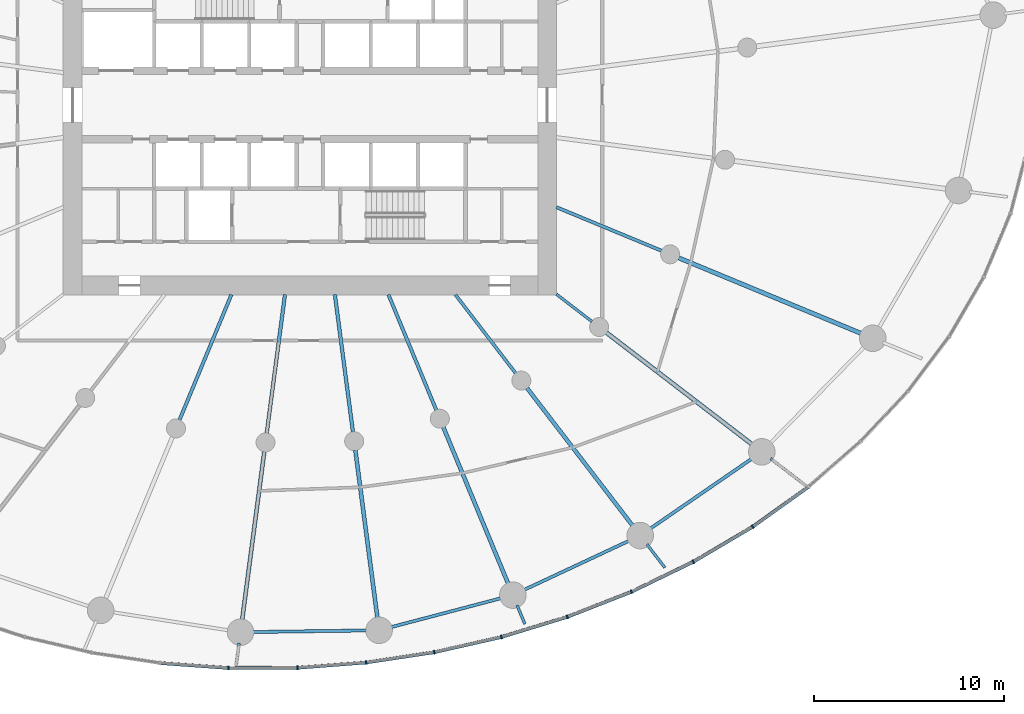
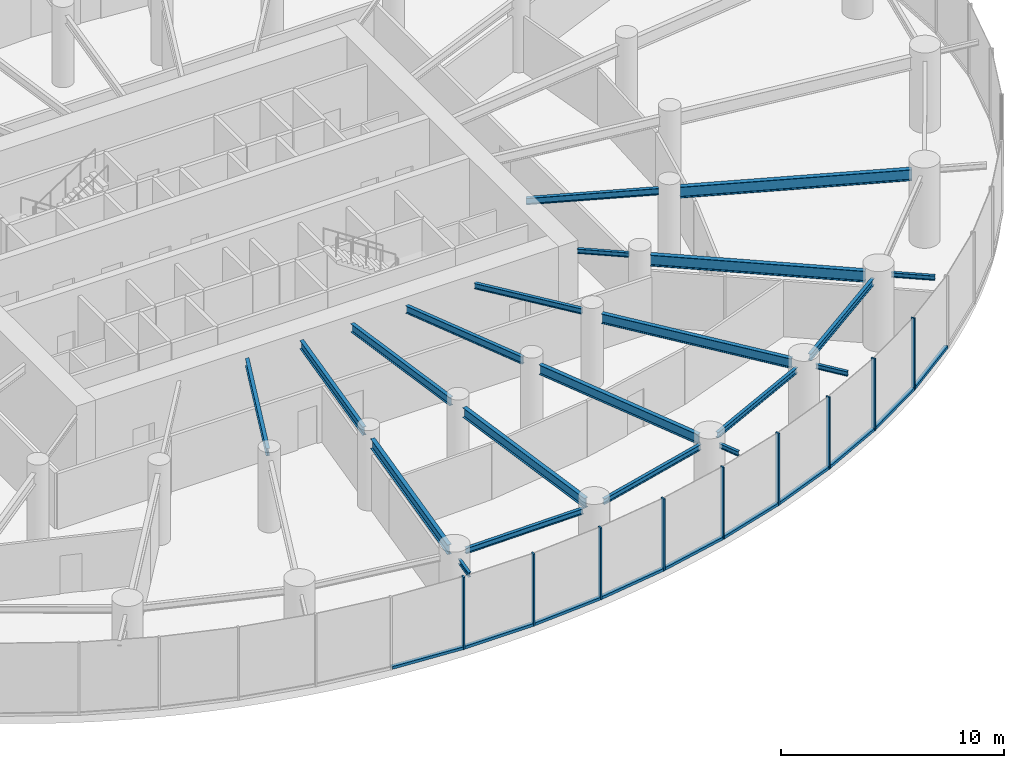
# One storey, part 4 of 18: 21 beams, 19 members, 3 elements without a shape of their own.
"""IFC4 building model written with IfcOpenShell, lengths in metres."""

from ifc_helpers import new_model, si_unit, direction, frame, origin, origin_2d, place, context, subcontext, project, spatial, rectangle, i_section, extrude, source, transform, mapped, material, layer, layer_set, material_profile, profile_set, type_object, element, aggregate, save


model = new_model("IFC4")

# Units and contexts
model_context = context("Model", 3, precision=1e-05, world=origin(), true_north=direction((0.0, 1.0)))
body_context = subcontext(model_context, "Body", "Model", "MODEL_VIEW")
ifc_project = project(units=[si_unit("LENGTHUNIT", "METRE"), si_unit("AREAUNIT", "SQUARE_METRE"), si_unit("VOLUMEUNIT", "CUBIC_METRE"), si_unit("PLANEANGLEUNIT", "RADIAN"), si_unit("MASSUNIT", "GRAM", prefix="KILO")], contexts=[model_context])

# Site, building, storey
site_placement = place(None, origin())
site = spatial("IfcSite", under=ifc_project, at=site_placement, CompositionType="ELEMENT")
building_placement = place(site_placement, origin())
building = spatial("IfcBuilding", under=site, at=building_placement, Name="Spindrift Exchange Tower", CompositionType="ELEMENT")
storey_placement = place(building_placement, frame((0.0, 0.0, 40.199951171875)))
storey = spatial("IfcBuildingStorey", under=building, at=storey_placement, Name="L09", CompositionType="ELEMENT", Elevation=40.199951171875)

# Beams
ifc_material_1 = material(Name="Steel Grade 300", Category="steel")
ifc_material_profile_1 = material_profile(ifc_material_1, i_section(OverallWidth=0.177978515625, OverallDepth=0.406005859375, WebThickness=0.0078125, FlangeThickness=0.0126953125, FilletRadius=0.013916015625, at=origin_2d()), Name="410UB59.7")
ifc_profile_set_1 = profile_set([ifc_material_profile_1], Name="Steel Grade 300")
beam_type_1 = type_object("IfcBeamType", Name="Floor Beam 410UB59.7 Steel Grade 300", PredefinedType="BEAM", material=ifc_profile_set_1)
shared_shape_1 = source(origin(), body_context, "Body", "SweptSolid", [
    extrude(i_section(OverallWidth=0.177978515625, OverallDepth=0.406005859375, WebThickness=0.0078125, FlangeThickness=0.0126953125, FilletRadius=0.013916015625, at=origin_2d()), origin(), (0.0, 0.0, 1.0), 7.150634765625),
])
beam_1_placement = place(storey_placement, frame((47.865478515625, 38.0185546875, 3.7470703125), z_axis=(-0.382665393358, -0.923887004306, 0.0), x_axis=(0.923887004306, -0.382665393358, 0.0)))
element("IfcBeam", 1, at=beam_1_placement, inside=storey, type_object=beam_type_1, Name="L09 radial beam R17A", PredefinedType="BEAM", context=body_context, shape_type="MappedRepresentation", body=[
    mapped(shared_shape_1, transform((0.0, 0.0, 0.0), scale=1.0)),
])
ifc_material_profile_2 = material_profile(ifc_material_1, i_section(OverallWidth=0.18994140625, OverallDepth=0.45703125, WebThickness=0.009033203125, FlangeThickness=0.014404296875, FilletRadius=0.013916015625, at=origin_2d()), Name="460UB74.6")
ifc_profile_set_2 = profile_set([ifc_material_profile_2], Name="Steel Grade 300")
beam_type_2 = type_object("IfcBeamType", Name="Floor Beam 460UB74.6 Steel Grade 300", PredefinedType="BEAM", material=ifc_profile_set_2)
shared_shape_2 = source(origin(), body_context, "Body", "SweptSolid", [
    extrude(i_section(OverallWidth=0.18994140625, OverallDepth=0.45703125, WebThickness=0.009033203125, FlangeThickness=0.014404296875, FilletRadius=0.013916015625, at=origin_2d()), origin(), (0.0, 0.0, 1.0), 7.374267578125),
])
beam_2_placement = place(storey_placement, frame((50.68603515625, 38.019775390625, 3.721435546875), z_axis=(-0.130539295622, -0.99144313619, 0.0), x_axis=(0.99144313619, -0.130539295622, 0.0)))
element("IfcBeam", 2, at=beam_2_placement, inside=storey, type_object=beam_type_2, Name="L09 radial beam R18A", PredefinedType="BEAM", context=body_context, shape_type="MappedRepresentation", body=[
    mapped(shared_shape_2, transform((0.0, 0.0, 0.0), scale=1.0)),
])
ifc_material_profile_3 = material_profile(ifc_material_1, i_section(OverallWidth=0.208984375, OverallDepth=0.532958984375, WebThickness=0.01025390625, FlangeThickness=0.015625, FilletRadius=0.013916015625, at=origin_2d()), Name="530UB92.4")
ifc_profile_set_3 = profile_set([ifc_material_profile_3], Name="Steel Grade 300")
beam_type_3 = type_object("IfcBeamType", Name="Floor Beam 530UB92.4 Steel Grade 300", PredefinedType="BEAM", material=ifc_profile_set_3)
shared_shape_3 = source(origin(), body_context, "Body", "SweptSolid", [
    extrude(i_section(OverallWidth=0.208984375, OverallDepth=0.532958984375, WebThickness=0.01025390625, FlangeThickness=0.015625, FilletRadius=0.013916015625, at=origin_2d()), origin(), (0.0, 0.0, 1.0), 9.020263671875),
])
beam_3_placement = place(storey_placement, frame((49.59814453125, 29.7568359375, 3.68359375), z_axis=(-0.13051122338, -0.991446831944, 0.0), x_axis=(0.991446831944, -0.13051122338, 0.0)))
element("IfcBeam", 3, at=beam_3_placement, inside=storey, type_object=beam_type_3, Name="L09 radial beam R18B", PredefinedType="BEAM", context=body_context, shape_type="MappedRepresentation", body=[
    mapped(shared_shape_3, transform((0.0, 0.0, 0.0), scale=1.0)),
])
shared_shape_4 = source(origin(), body_context, "Body", "SweptSolid", [
    extrude(i_section(OverallWidth=0.18994140625, OverallDepth=0.45703125, WebThickness=0.009033203125, FlangeThickness=0.014404296875, FilletRadius=0.013916015625, at=origin_2d()), origin(), (0.0, 0.0, 1.0), 7.3095703125),
])
beam_4_placement = place(storey_placement, frame((53.31396484375, 38.019775390625, 3.721435546875), z_axis=(0.130527087244, -0.991444743541, 0.0), x_axis=(0.991444743541, 0.130527087244, 0.0)))
element("IfcBeam", 4, at=beam_4_placement, inside=storey, type_object=beam_type_2, Name="L09 radial beam R19A", PredefinedType="BEAM", context=body_context, shape_type="MappedRepresentation", body=[
    mapped(shared_shape_4, transform((0.0, 0.0, 0.0), scale=1.0)),
])
shared_shape_5 = source(origin(), body_context, "Body", "SweptSolid", [
    extrude(i_section(OverallWidth=0.208984375, OverallDepth=0.532958984375, WebThickness=0.01025390625, FlangeThickness=0.015625, FilletRadius=0.013916015625, at=origin_2d()), origin(), (0.0, 0.0, 1.0), 8.98388671875),
])
beam_5_placement = place(storey_placement, frame((54.393310546875, 29.82080078125, 3.68359375), z_axis=(0.130524106785, -0.991445135924, 0.0), x_axis=(0.991445135924, 0.130524106785, 0.0)))
element("IfcBeam", 5, at=beam_5_placement, inside=storey, type_object=beam_type_3, Name="L09 radial beam R19B", PredefinedType="BEAM", context=body_context, shape_type="MappedRepresentation", body=[
    mapped(shared_shape_5, transform((0.0, 0.0, 0.0), scale=1.0)),
])
shared_shape_6 = source(origin(), body_context, "Body", "SweptSolid", [
    extrude(i_section(OverallWidth=0.177978515625, OverallDepth=0.406005859375, WebThickness=0.0078125, FlangeThickness=0.0126953125, FilletRadius=0.013916015625, at=origin_2d()), origin(), (0.0, 0.0, 1.0), 6.594482421875),
])
beam_6_placement = place(storey_placement, frame((56.134521484375, 38.0185546875, 3.7470703125), z_axis=(0.382692929746, -0.92387559851, 0.0), x_axis=(0.92387559851, 0.382692929746, 0.0)))
element("IfcBeam", 6, at=beam_6_placement, inside=storey, type_object=beam_type_1, Name="L09 radial beam R20A", PredefinedType="BEAM", context=body_context, shape_type="MappedRepresentation", body=[
    mapped(shared_shape_6, transform((0.0, 0.0, 0.0), scale=1.0)),
])
shared_shape_7 = source(origin(), body_context, "Body", "SweptSolid", [
    extrude(i_section(OverallWidth=0.208984375, OverallDepth=0.532958984375, WebThickness=0.01025390625, FlangeThickness=0.015625, FilletRadius=0.013916015625, at=origin_2d()), origin(), (0.0, 0.0, 1.0), 8.99658203125),
])
beam_7_placement = place(storey_placement, frame((59.025390625, 31.0390625, 3.68359375), z_axis=(0.382685731718, -0.923878580085, 0.0), x_axis=(0.923878580085, 0.382685731718, 0.0)))
element("IfcBeam", 7, at=beam_7_placement, inside=storey, type_object=beam_type_3, Name="L09 radial beam R20B", PredefinedType="BEAM", context=body_context, shape_type="MappedRepresentation", body=[
    mapped(shared_shape_7, transform((0.0, 0.0, 0.0), scale=1.0)),
])
ifc_material_profile_4 = material_profile(ifc_material_1, i_section(OverallWidth=0.1650390625, OverallDepth=0.303955078125, WebThickness=0.006103515625, FlangeThickness=0.01025390625, FilletRadius=0.011474609375, at=origin_2d()), Name="310UB40.4")
ifc_profile_set_4 = profile_set([ifc_material_profile_4], Name="Steel Grade 300")
beam_type_4 = type_object("IfcBeamType", Name="Floor Beam 310UB40.4 Steel Grade 300", PredefinedType="BEAM", material=ifc_profile_set_4)
shared_shape_8 = source(origin(), body_context, "Body", "SweptSolid", [
    extrude(i_section(OverallWidth=0.1650390625, OverallDepth=0.303955078125, WebThickness=0.006103515625, FlangeThickness=0.01025390625, FilletRadius=0.011474609375, at=origin_2d()), origin(), (0.0, 0.0, 1.0), 5.224609375),
])
beam_8_placement = place(storey_placement, frame((59.6611328125, 38.015869140625, 3.798095703125), z_axis=(0.608741499316, -0.793368632485, 0.0), x_axis=(0.793368632485, 0.608741499316, 0.0)))
element("IfcBeam", 8, at=beam_8_placement, inside=storey, type_object=beam_type_4, Name="L09 radial beam R21A", PredefinedType="BEAM", context=body_context, shape_type="MappedRepresentation", body=[
    mapped(shared_shape_8, transform((0.0, 0.0, 0.0), scale=1.0)),
])
shared_shape_9 = source(origin(), body_context, "Body", "SweptSolid", [
    extrude(i_section(OverallWidth=0.208984375, OverallDepth=0.532958984375, WebThickness=0.01025390625, FlangeThickness=0.015625, FilletRadius=0.013916015625, at=origin_2d()), origin(), (0.0, 0.0, 1.0), 9.227783203125),
])
beam_9_placement = place(storey_placement, frame((63.426025390625, 33.109375, 3.68359375), z_axis=(0.608747534474, -0.79336400175, 0.0), x_axis=(0.79336400175, 0.608747534474, 0.0)))
element("IfcBeam", 9, at=beam_9_placement, inside=storey, type_object=beam_type_3, Name="L09 radial beam R21B", PredefinedType="BEAM", context=body_context, shape_type="MappedRepresentation", body=[
    mapped(shared_shape_9, transform((0.0, 0.0, 0.0), scale=1.0)),
])
ifc_material_profile_5 = material_profile(ifc_material_1, i_section(OverallWidth=0.14599609375, OverallDepth=0.251953125, WebThickness=0.006103515625, FlangeThickness=0.008544921875, FilletRadius=0.011962890625, at=origin_2d()), Name="250UB31.4")
ifc_profile_set_5 = profile_set([ifc_material_profile_5], Name="Steel Grade 300")
beam_type_5 = type_object("IfcBeamType", Name="Floor Beam 250UB31.4 Steel Grade 300", PredefinedType="BEAM", material=ifc_profile_set_5)
shared_shape_10 = source(origin(), body_context, "Body", "SweptSolid", [
    extrude(i_section(OverallWidth=0.14599609375, OverallDepth=0.251953125, WebThickness=0.006103515625, FlangeThickness=0.008544921875, FilletRadius=0.011962890625, at=origin_2d()), origin(), (0.0, 0.0, 1.0), 2.353759765625),
])
beam_10_placement = place(storey_placement, frame((64.984130859375, 38.036865234375, 3.823974609375), z_axis=(0.793367573265, -0.608742879787, 0.0), x_axis=(0.608742879787, 0.793367573265, 0.0)))
element("IfcBeam", 10, at=beam_10_placement, inside=storey, type_object=beam_type_5, Name="L09 radial beam R22A", PredefinedType="BEAM", context=body_context, shape_type="MappedRepresentation", body=[
    mapped(shared_shape_10, transform((0.0, 0.0, 0.0), scale=1.0)),
])
ifc_material_profile_6 = material_profile(ifc_material_1, i_section(OverallWidth=0.22802734375, OverallDepth=0.60693359375, WebThickness=0.01123046875, FlangeThickness=0.017333984375, FilletRadius=0.013916015625, at=origin_2d()), Name="610UB113")
ifc_profile_set_6 = profile_set([ifc_material_profile_6], Name="Steel Grade 300")
beam_type_6 = type_object("IfcBeamType", Name="Floor Beam 610UB113 Steel Grade 300", PredefinedType="BEAM", material=ifc_profile_set_6)
shared_shape_11 = source(origin(), body_context, "Body", "SweptSolid", [
    extrude(i_section(OverallWidth=0.22802734375, OverallDepth=0.60693359375, WebThickness=0.01123046875, FlangeThickness=0.017333984375, FilletRadius=0.013916015625, at=origin_2d()), origin(), (0.0, 0.0, 1.0), 9.73974609375),
])
beam_11_placement = place(storey_placement, frame((67.61328125, 36.01953125, 3.646484375), z_axis=(0.793352119621, -0.608763019814, 0.0), x_axis=(0.608763019814, 0.793352119621, 0.0)))
element("IfcBeam", 11, at=beam_11_placement, inside=storey, type_object=beam_type_6, Name="L09 radial beam R22B", PredefinedType="BEAM", context=body_context, shape_type="MappedRepresentation", body=[
    mapped(shared_shape_11, transform((0.0, 0.0, 0.0), scale=1.0)),
])
ifc_material_profile_7 = material_profile(ifc_material_1, i_section(OverallWidth=0.172119140625, OverallDepth=0.35888671875, WebThickness=0.008056640625, FlangeThickness=0.012939453125, FilletRadius=0.013916015625, at=origin_2d()), Name="360UB56.7")
ifc_profile_set_7 = profile_set([ifc_material_profile_7], Name="Steel Grade 300")
beam_type_7 = type_object("IfcBeamType", Name="Floor Beam 360UB56.7 Steel Grade 300", PredefinedType="BEAM", material=ifc_profile_set_7)
shared_shape_12 = source(origin(), body_context, "Body", "SweptSolid", [
    extrude(i_section(OverallWidth=0.172119140625, OverallDepth=0.35888671875, WebThickness=0.008056640625, FlangeThickness=0.012939453125, FilletRadius=0.013916015625, at=origin_2d()), origin(), (0.0, 0.0, 1.0), 6.004638671875),
])
beam_12_placement = place(storey_placement, frame((64.9814453125, 42.622802734375, 3.7705078125), z_axis=(0.923882044911, -0.38267736684, 0.0), x_axis=(0.38267736684, 0.923882044911, 0.0)))
element("IfcBeam", 12, at=beam_12_placement, inside=storey, type_object=beam_type_7, Name="L09 radial beam R23A", PredefinedType="BEAM", context=body_context, shape_type="MappedRepresentation", body=[
    mapped(shared_shape_12, transform((0.0, 0.0, 0.0), scale=1.0)),
])
shared_shape_13 = source(origin(), body_context, "Body", "SweptSolid", [
    extrude(i_section(OverallWidth=0.22802734375, OverallDepth=0.60693359375, WebThickness=0.01123046875, FlangeThickness=0.017333984375, FilletRadius=0.013916015625, at=origin_2d()), origin(), (0.0, 0.0, 1.0), 10.4912109375),
])
beam_13_placement = place(storey_placement, frame((71.416015625, 39.95751953125, 3.646484375), z_axis=(0.923885231151, -0.382669674342, 0.0), x_axis=(0.382669674342, 0.923885231151, 0.0)))
element("IfcBeam", 13, at=beam_13_placement, inside=storey, type_object=beam_type_6, Name="L09 radial beam R23B", PredefinedType="BEAM", context=body_context, shape_type="MappedRepresentation", body=[
    mapped(shared_shape_13, transform((0.0, 0.0, 0.0), scale=1.0)),
])
ifc_material_profile_8 = material_profile(ifc_material_1, i_section(OverallWidth=0.1650390625, OverallDepth=0.303955078125, WebThickness=0.006103515625, FlangeThickness=0.01025390625, FilletRadius=0.011474609375, at=origin_2d()), Name="310UB40.4")
ifc_profile_set_8 = profile_set([ifc_material_profile_8], Name="Steel Grade 300")
beam_type_8 = type_object("IfcBeamType", Name="Edge Beam 310UB40.4 Steel Grade 300", PredefinedType="SPANDREL", material=ifc_profile_set_8)
shared_shape_14 = source(origin(), body_context, "Body", "SweptSolid", [
    extrude(i_section(OverallWidth=0.1650390625, OverallDepth=0.303955078125, WebThickness=0.006103515625, FlangeThickness=0.01025390625, FilletRadius=0.011474609375, at=origin_2d()), origin(), (0.0, 0.0, 1.0), 6.13720703125),
])
beam_14_placement = place(storey_placement, frame((48.925048828125, 20.24658203125, 3.798095703125), z_axis=(0.999905820907, 0.013724041543, 0.0), x_axis=(-0.013724041543, 0.999905820907, 0.0)))
element("IfcBeam", 14, at=beam_14_placement, inside=storey, type_object=beam_type_8, Name="L09 edge beam E18", PredefinedType="SPANDREL", context=body_context, shape_type="MappedRepresentation", body=[
    mapped(shared_shape_14, transform((0.0, 0.0, 0.0), scale=1.0)),
])
shared_shape_15 = source(origin(), body_context, "Body", "SweptSolid", [
    extrude(i_section(OverallWidth=0.1650390625, OverallDepth=0.303955078125, WebThickness=0.006103515625, FlangeThickness=0.01025390625, FilletRadius=0.011474609375, at=origin_2d()), origin(), (0.0, 0.0, 1.0), 6.128173828125),
])
beam_15_placement = place(storey_placement, frame((56.20263671875, 20.486083984375, 3.798095703125), z_axis=(0.967147261855, 0.254216785216, 0.0), x_axis=(-0.254216785216, 0.967147261855, 0.0)))
element("IfcBeam", 15, at=beam_15_placement, inside=storey, type_object=beam_type_8, Name="L09 edge beam E19", PredefinedType="SPANDREL", context=body_context, shape_type="MappedRepresentation", body=[
    mapped(shared_shape_15, transform((0.0, 0.0, 0.0), scale=1.0)),
])
shared_shape_16 = source(origin(), body_context, "Body", "SweptSolid", [
    extrude(i_section(OverallWidth=0.1650390625, OverallDepth=0.303955078125, WebThickness=0.006103515625, FlangeThickness=0.01025390625, FilletRadius=0.011474609375, at=origin_2d()), origin(), (0.0, 0.0, 1.0), 6.243408203125),
])
beam_16_placement = place(storey_placement, frame((63.2158203125, 22.43701171875, 3.798095703125), z_axis=(0.905791146607, 0.423724437257, 0.0), x_axis=(-0.423724437257, 0.905791146607, 0.0)))
element("IfcBeam", 16, at=beam_16_placement, inside=storey, type_object=beam_type_8, Name="L09 edge beam E20", PredefinedType="SPANDREL", context=body_context, shape_type="MappedRepresentation", body=[
    mapped(shared_shape_16, transform((0.0, 0.0, 0.0), scale=1.0)),
])
ifc_material_profile_9 = material_profile(ifc_material_1, i_section(OverallWidth=0.172119140625, OverallDepth=0.35888671875, WebThickness=0.008056640625, FlangeThickness=0.012939453125, FilletRadius=0.013916015625, at=origin_2d()), Name="360UB56.7")
ifc_profile_set_9 = profile_set([ifc_material_profile_9], Name="Steel Grade 300")
beam_type_9 = type_object("IfcBeamType", Name="Edge Beam 360UB56.7 Steel Grade 300", PredefinedType="SPANDREL", material=ifc_profile_set_9)
shared_shape_17 = source(origin(), body_context, "Body", "SweptSolid", [
    extrude(i_section(OverallWidth=0.172119140625, OverallDepth=0.35888671875, WebThickness=0.008056640625, FlangeThickness=0.012939453125, FilletRadius=0.013916015625, at=origin_2d()), origin(), (0.0, 0.0, 1.0), 6.614990234375),
])
beam_17_placement = place(storey_placement, frame((69.874267578125, 25.6572265625, 3.7705078125), z_axis=(0.823690708835, 0.567039342708, 0.0), x_axis=(-0.567039342708, 0.823690708835, 0.0)))
element("IfcBeam", 17, at=beam_17_placement, inside=storey, type_object=beam_type_9, Name="L09 edge beam E21", PredefinedType="SPANDREL", context=body_context, shape_type="MappedRepresentation", body=[
    mapped(shared_shape_17, transform((0.0, 0.0, 0.0), scale=1.0)),
])
ifc_material_profile_10 = material_profile(ifc_material_1, i_section(OverallWidth=0.14599609375, OverallDepth=0.251953125, WebThickness=0.006103515625, FlangeThickness=0.008544921875, FilletRadius=0.011962890625, at=origin_2d()), Name="250UB31.4")
ifc_profile_set_10 = profile_set([ifc_material_profile_10], Name="Steel Grade 300")
beam_type_10 = type_object("IfcBeamType", Name="Cantilever Beam 250UB31.4 Steel Grade 300", PredefinedType="BEAM", material=ifc_profile_set_10)
shared_shape_18 = source(origin(), body_context, "Body", "SweptSolid", [
    extrude(i_section(OverallWidth=0.14599609375, OverallDepth=0.251953125, WebThickness=0.006103515625, FlangeThickness=0.008544921875, FilletRadius=0.011962890625, at=origin_2d()), origin(), (0.0, 0.0, 1.0), 1.208740234375),
])
beam_18_placement = place(storey_placement, frame((48.269287109375, 19.66357421875, 3.823974609375), z_axis=(-0.130271649793, -0.991478339279, 0.0), x_axis=(0.991478339279, -0.130271649793, 0.0)))
element("IfcBeam", 18, at=beam_18_placement, inside=storey, type_object=beam_type_10, Name="L09 cantilever beam R18T", PredefinedType="BEAM", context=body_context, shape_type="MappedRepresentation", body=[
    mapped(shared_shape_18, transform((0.0, 0.0, 0.0), scale=1.0)),
])
shared_shape_19 = source(origin(), body_context, "Body", "SweptSolid", [
    extrude(i_section(OverallWidth=0.14599609375, OverallDepth=0.251953125, WebThickness=0.006103515625, FlangeThickness=0.008544921875, FilletRadius=0.011962890625, at=origin_2d()), origin(), (0.0, 0.0, 1.0), 1.0703125),
])
beam_19_placement = place(storey_placement, frame((62.912109375, 21.655517578125, 3.823974609375), z_axis=(0.382768141022, -0.923844440487, 0.0), x_axis=(0.923844440487, 0.382768141022, 0.0)))
element("IfcBeam", 19, at=beam_19_placement, inside=storey, type_object=beam_type_10, Name="L09 cantilever beam R20T", PredefinedType="BEAM", context=body_context, shape_type="MappedRepresentation", body=[
    mapped(shared_shape_19, transform((0.0, 0.0, 0.0), scale=1.0)),
])
shared_shape_20 = source(origin(), body_context, "Body", "SweptSolid", [
    extrude(i_section(OverallWidth=0.14599609375, OverallDepth=0.251953125, WebThickness=0.006103515625, FlangeThickness=0.008544921875, FilletRadius=0.011962890625, at=origin_2d()), origin(), (0.0, 0.0, 1.0), 1.551025390625),
])
beam_20_placement = place(storey_placement, frame((69.749755859375, 24.8681640625, 3.823974609375), z_axis=(0.608728928553, -0.79337827771, 0.0), x_axis=(0.79337827771, 0.608728928553, 0.0)))
element("IfcBeam", 20, at=beam_20_placement, inside=storey, type_object=beam_type_10, Name="L09 cantilever beam R21T", PredefinedType="BEAM", context=body_context, shape_type="MappedRepresentation", body=[
    mapped(shared_shape_20, transform((0.0, 0.0, 0.0), scale=1.0)),
])
shared_shape_21 = source(origin(), body_context, "Body", "SweptSolid", [
    extrude(i_section(OverallWidth=0.14599609375, OverallDepth=0.251953125, WebThickness=0.006103515625, FlangeThickness=0.008544921875, FilletRadius=0.011962890625, at=origin_2d()), origin(), (0.0, 0.0, 1.0), 1.985107421875),
])
beam_21_placement = place(storey_placement, frame((76.2607421875, 29.384033203125, 3.823974609375), z_axis=(0.7933549083, -0.608759385535, 0.0), x_axis=(0.608759385535, 0.7933549083, 0.0)))
element("IfcBeam", 21, at=beam_21_placement, inside=storey, type_object=beam_type_10, Name="L09 cantilever beam R22T", PredefinedType="BEAM", context=body_context, shape_type="MappedRepresentation", body=[
    mapped(shared_shape_21, transform((0.0, 0.0, 0.0), scale=1.0)),
])

# Curtain wall, members
ifc_material_2 = material(Name="Fritted laminated glass with bronze frame", Category="glass")
ifc_layer = layer(ifc_material_2, 0.199951171875)
ifc_layer_set = layer_set([ifc_layer], Name="ZONE 1 BRONZE FRITTED WALL")
curtain_wall_type = type_object("IfcCurtainWallType", Name="ZONE 1 BRONZE FRITTED WALL", PredefinedType="NOTDEFINED", material=ifc_layer_set)
curtain_wall_1_placement = place(storey_placement, origin())
curtain_wall_1 = element("IfcCurtainWall", 22, at=curtain_wall_1_placement, inside=storey, type_object=curtain_wall_type, Name="L09 Zone 1 Bronze Fritted Wall run 8", PredefinedType="NOTDEFINED")
ifc_material_3 = material(Name="Bronze anodised aluminium", Category="aluminium")
ifc_material_profile_11 = material_profile(ifc_material_3, rectangle(XDim=0.080078125, YDim=0.199951171875, at=origin_2d()), Name="ZONE 1 BRONZE FRITTED WALL MULLION 80X200")
ifc_profile_set_11 = profile_set([ifc_material_profile_11], Name="Bronze anodised aluminium")
member_type_1 = type_object("IfcMemberType", Name="ZONE 1 BRONZE FRITTED WALL MULLION 80X200", PredefinedType="MULLION", material=ifc_profile_set_11)
shared_shape_22 = source(origin(), body_context, "Body", "SweptSolid", [
    extrude(rectangle(XDim=0.080078125, YDim=0.199951171875, at=origin_2d()), origin(), (0.0, 0.0, 1.0), 3.949951171875),
])
member_1_placement = place(storey_placement, frame((47.718505859375, 18.35400390625, 0.0), z_axis=(0.0, 0.0, 1.0), x_axis=(0.999412812002, -0.03426413878, 0.0)))
member_1 = element("IfcMember", 23, at=member_1_placement, type_object=member_type_1, Name="L09 mullion CW-1.43", PredefinedType="MULLION", context=body_context, shape_type="MappedRepresentation", body=[
    mapped(shared_shape_22, transform((0.0, 0.0, 0.0), scale=1.0)),
])
member_2_placement = place(storey_placement, frame((51.345703125, 18.365478515625, 0.0), z_axis=(0.0, 0.0, 1.0), x_axis=(0.999203539878, 0.03990345718, 0.0)))
member_2 = element("IfcMember", 24, at=member_2_placement, type_object=member_type_1, Name="L09 mullion CW-1.44", PredefinedType="MULLION", context=body_context, shape_type="MappedRepresentation", body=[
    mapped(shared_shape_22, transform((0.0, 0.0, 0.0), scale=1.0)),
])
member_3_placement = place(storey_placement, frame((54.96240234375, 18.643310546875, 0.0), z_axis=(0.0, 0.0, 1.0), x_axis=(0.993611436567, 0.11285527512, 0.0)))
member_3 = element("IfcMember", 25, at=member_3_placement, type_object=member_type_1, Name="L09 mullion CW-1.45", PredefinedType="MULLION", context=body_context, shape_type="MappedRepresentation", body=[
    mapped(shared_shape_22, transform((0.0, 0.0, 0.0), scale=1.0)),
])
member_4_placement = place(storey_placement, frame((58.54931640625, 19.183837890625, 0.0), z_axis=(0.0, 0.0, 1.0), x_axis=(0.98274202238, 0.184981397574, 0.0)))
member_4 = element("IfcMember", 26, at=member_4_placement, type_object=member_type_1, Name="L09 mullion CW-1.46", PredefinedType="MULLION", context=body_context, shape_type="MappedRepresentation", body=[
    mapped(shared_shape_22, transform((0.0, 0.0, 0.0), scale=1.0)),
])
member_5_placement = place(storey_placement, frame((62.08740234375, 19.984619140625, 0.0), z_axis=(0.0, 0.0, 1.0), x_axis=(0.966488916423, 0.256708345076, 0.0)))
member_5 = element("IfcMember", 27, at=member_5_placement, type_object=member_type_1, Name="L09 mullion CW-1.47", PredefinedType="MULLION", context=body_context, shape_type="MappedRepresentation", body=[
    mapped(shared_shape_22, transform((0.0, 0.0, 0.0), scale=1.0)),
])
member_6_placement = place(storey_placement, frame((65.556396484375, 21.044921875, 0.0), z_axis=(0.0, 0.0, 1.0), x_axis=(0.94453095706, 0.328422397464, 0.0)))
member_6 = element("IfcMember", 28, at=member_6_placement, type_object=member_type_1, Name="L09 mullion CW-1.48", PredefinedType="MULLION", context=body_context, shape_type="MappedRepresentation", body=[
    mapped(shared_shape_22, transform((0.0, 0.0, 0.0), scale=1.0)),
])

curtain_wall_2_placement = place(storey_placement, origin())
curtain_wall_2 = element("IfcCurtainWall", 29, at=curtain_wall_2_placement, inside=storey, type_object=curtain_wall_type, Name="L09 Zone 1 Bronze Fritted Wall run 9", PredefinedType="NOTDEFINED")
member_7_placement = place(storey_placement, frame((68.934814453125, 22.365478515625, 0.0), z_axis=(0.0, 0.0, 1.0), x_axis=(0.916339220362, 0.400402838684, 0.0)))
member_7 = element("IfcMember", 30, at=member_7_placement, type_object=member_type_1, Name="L09 mullion CW-1.49", PredefinedType="MULLION", context=body_context, shape_type="MappedRepresentation", body=[
    mapped(shared_shape_22, transform((0.0, 0.0, 0.0), scale=1.0)),
])
member_8_placement = place(storey_placement, frame((72.19873046875, 23.947509765625, 0.0), z_axis=(0.0, 0.0, 1.0), x_axis=(0.881148710523, 0.472839243236, 0.0)))
member_8 = element("IfcMember", 31, at=member_8_placement, type_object=member_type_1, Name="L09 mullion CW-1.50", PredefinedType="MULLION", context=body_context, shape_type="MappedRepresentation", body=[
    mapped(shared_shape_22, transform((0.0, 0.0, 0.0), scale=1.0)),
])
member_9_placement = place(storey_placement, frame((75.3212890625, 25.79248046875, 0.0), z_axis=(0.0, 0.0, 1.0), x_axis=(0.837908995928, 0.545809961931, 0.0)))
member_9 = element("IfcMember", 32, at=member_9_placement, type_object=member_type_1, Name="L09 mullion CW-1.51", PredefinedType="MULLION", context=body_context, shape_type="MappedRepresentation", body=[
    mapped(shared_shape_22, transform((0.0, 0.0, 0.0), scale=1.0)),
])
ifc_material_profile_12 = material_profile(ifc_material_3, rectangle(XDim=0.179931640625, YDim=0.14990234375, at=origin_2d()), Name="ZONE 1 BRONZE FRITTED WALL TRANSOM 180X150")
ifc_profile_set_12 = profile_set([ifc_material_profile_12], Name="Bronze anodised aluminium")
member_type_2 = type_object("IfcMemberType", Name="ZONE 1 BRONZE FRITTED WALL TRANSOM 180X150", PredefinedType="USERDEFINED", material=ifc_profile_set_12)
shared_shape_23 = source(origin(), body_context, "Body", "SweptSolid", [
    extrude(rectangle(XDim=0.179931640625, YDim=0.14990234375, at=origin_2d()), origin(), (0.0, 0.0, 1.0), 3.546875),
])
member_10_placement = place(storey_placement, frame((72.233154296875, 23.9677734375, 0.074951171875), z_axis=(0.860929268765, 0.508724674244, 0.0), x_axis=(-0.508724674244, 0.860929268765, 0.0)))
member_10 = element("IfcMember", 33, at=member_10_placement, type_object=member_type_2, Name="L09 transom CW-1.50", ObjectType="TRANSOM", PredefinedType="USERDEFINED", context=body_context, shape_type="MappedRepresentation", body=[
    mapped(shared_shape_23, transform((0.0, 0.0, 0.0), scale=1.0)),
])
member_11_placement = place(storey_placement, frame((75.35400390625, 25.81591796875, 0.074951171875), z_axis=(0.813310036329, 0.58183054647, 0.0), x_axis=(-0.58183054647, 0.813310036329, 0.0)))
member_11 = element("IfcMember", 34, at=member_11_placement, type_object=member_type_2, Name="L09 transom CW-1.51", ObjectType="TRANSOM", PredefinedType="USERDEFINED", context=body_context, shape_type="MappedRepresentation", body=[
    mapped(shared_shape_23, transform((0.0, 0.0, 0.0), scale=1.0)),
])

# Member
shared_shape_24 = source(origin(), body_context, "Body", "SweptSolid", [
    extrude(rectangle(XDim=0.179931640625, YDim=0.14990234375, at=origin_2d()), origin(), (0.0, 0.0, 1.0), 3.54736328125),
])
member_12_placement = place(storey_placement, frame((47.75830078125, 18.354248046875, 0.074951171875), z_axis=(0.999994988691, 0.003165847865, 0.0), x_axis=(-0.003165847865, 0.999994988691, 0.0)))
member_12 = element("IfcMember", 35, at=member_12_placement, type_object=member_type_2, Name="L09 transom CW-1.43", ObjectType="TRANSOM", PredefinedType="USERDEFINED", context=body_context, shape_type="MappedRepresentation", body=[
    mapped(shared_shape_24, transform((0.0, 0.0, 0.0), scale=1.0)),
])

member_13_placement = place(storey_placement, frame((55.001953125, 18.6494140625, 0.074951171875), z_axis=(0.98884732833, 0.148932740709, 0.0), x_axis=(-0.148932740709, 0.98884732833, 0.0)))
member_13 = element("IfcMember", 36, at=member_13_placement, type_object=member_type_2, Name="L09 transom CW-1.45", ObjectType="TRANSOM", PredefinedType="USERDEFINED", context=body_context, shape_type="MappedRepresentation", body=[
    mapped(shared_shape_24, transform((0.0, 0.0, 0.0), scale=1.0)),
])

member_14_placement = place(storey_placement, frame((58.58837890625, 19.192626953125, 0.074951171875), z_axis=(0.975339301309, 0.22071077754, 0.0), x_axis=(-0.22071077754, 0.975339301309, 0.0)))
member_14 = element("IfcMember", 37, at=member_14_placement, type_object=member_type_2, Name="L09 transom CW-1.46", ObjectType="TRANSOM", PredefinedType="USERDEFINED", context=body_context, shape_type="MappedRepresentation", body=[
    mapped(shared_shape_24, transform((0.0, 0.0, 0.0), scale=1.0)),
])

member_15_placement = place(storey_placement, frame((65.593505859375, 21.0595703125, 0.074951171875), z_axis=(0.931395013735, 0.36401006633, 0.0), x_axis=(-0.36401006633, 0.931395013735, 0.0)))
member_15 = element("IfcMember", 38, at=member_15_placement, type_object=member_type_2, Name="L09 transom CW-1.48", ObjectType="TRANSOM", PredefinedType="USERDEFINED", context=body_context, shape_type="MappedRepresentation", body=[
    mapped(shared_shape_24, transform((0.0, 0.0, 0.0), scale=1.0)),
])

member_16_placement = place(storey_placement, frame((68.970703125, 22.3828125, 0.074951171875), z_axis=(0.899878776874, 0.436140100119, 0.0), x_axis=(-0.436140100119, 0.899878776874, 0.0)))
member_16 = element("IfcMember", 39, at=member_16_placement, type_object=member_type_2, Name="L09 transom CW-1.49", ObjectType="TRANSOM", PredefinedType="USERDEFINED", context=body_context, shape_type="MappedRepresentation", body=[
    mapped(shared_shape_24, transform((0.0, 0.0, 0.0), scale=1.0)),
])

aggregate(curtain_wall_2, [member_7, member_16, member_8, member_10, member_9, member_11])

# Curtain wall, member
curtain_wall_3_placement = place(storey_placement, origin())
curtain_wall_3 = element("IfcCurtainWall", 40, at=curtain_wall_3_placement, inside=storey, type_object=curtain_wall_type, Name="L09 Zone 1 Bronze Fritted Wall run 7", PredefinedType="NOTDEFINED")
shared_shape_25 = source(origin(), body_context, "Body", "SweptSolid", [
    extrude(rectangle(XDim=0.179931640625, YDim=0.14990234375, at=origin_2d()), origin(), (0.0, 0.0, 1.0), 3.547119140625),
])
member_17_placement = place(storey_placement, frame((44.140380859375, 18.611083984375, 0.074951171875), z_axis=(0.997429970705, -0.071648123068, 0.0), x_axis=(0.071648123068, 0.997429970705, 0.0)))
member_17 = element("IfcMember", 41, at=member_17_placement, type_object=member_type_2, Name="L09 transom CW-1.42", ObjectType="TRANSOM", PredefinedType="USERDEFINED", context=body_context, shape_type="MappedRepresentation", body=[
    mapped(shared_shape_25, transform((0.0, 0.0, 0.0), scale=1.0)),
])
aggregate(curtain_wall_3, [member_17])

# Member
shared_shape_26 = source(origin(), body_context, "Body", "SweptSolid", [
    extrude(rectangle(XDim=0.179931640625, YDim=0.14990234375, at=origin_2d()), origin(), (0.0, 0.0, 1.0), 3.547607421875),
])
member_18_placement = place(storey_placement, frame((51.385498046875, 18.36865234375, 0.074951171875), z_axis=(0.997062172119, 0.076596507287, 0.0), x_axis=(-0.076596507287, 0.997062172119, 0.0)))
member_18 = element("IfcMember", 42, at=member_18_placement, type_object=member_type_2, Name="L09 transom CW-1.44", ObjectType="TRANSOM", PredefinedType="USERDEFINED", context=body_context, shape_type="MappedRepresentation", body=[
    mapped(shared_shape_26, transform((0.0, 0.0, 0.0), scale=1.0)),
])

member_19_placement = place(storey_placement, frame((62.12548828125, 19.99609375, 0.074951171875), z_axis=(0.956313097776, 0.292344418491, 0.0), x_axis=(-0.292344418491, 0.956313097776, 0.0)))
member_19 = element("IfcMember", 43, at=member_19_placement, type_object=member_type_2, Name="L09 transom CW-1.47", ObjectType="TRANSOM", PredefinedType="USERDEFINED", context=body_context, shape_type="MappedRepresentation", body=[
    mapped(shared_shape_26, transform((0.0, 0.0, 0.0), scale=1.0)),
])

aggregate(curtain_wall_1, [member_1, member_12, member_2, member_18, member_3, member_13, member_4, member_14, member_5, member_19, member_6, member_15])

save(model, "model.ifc")
